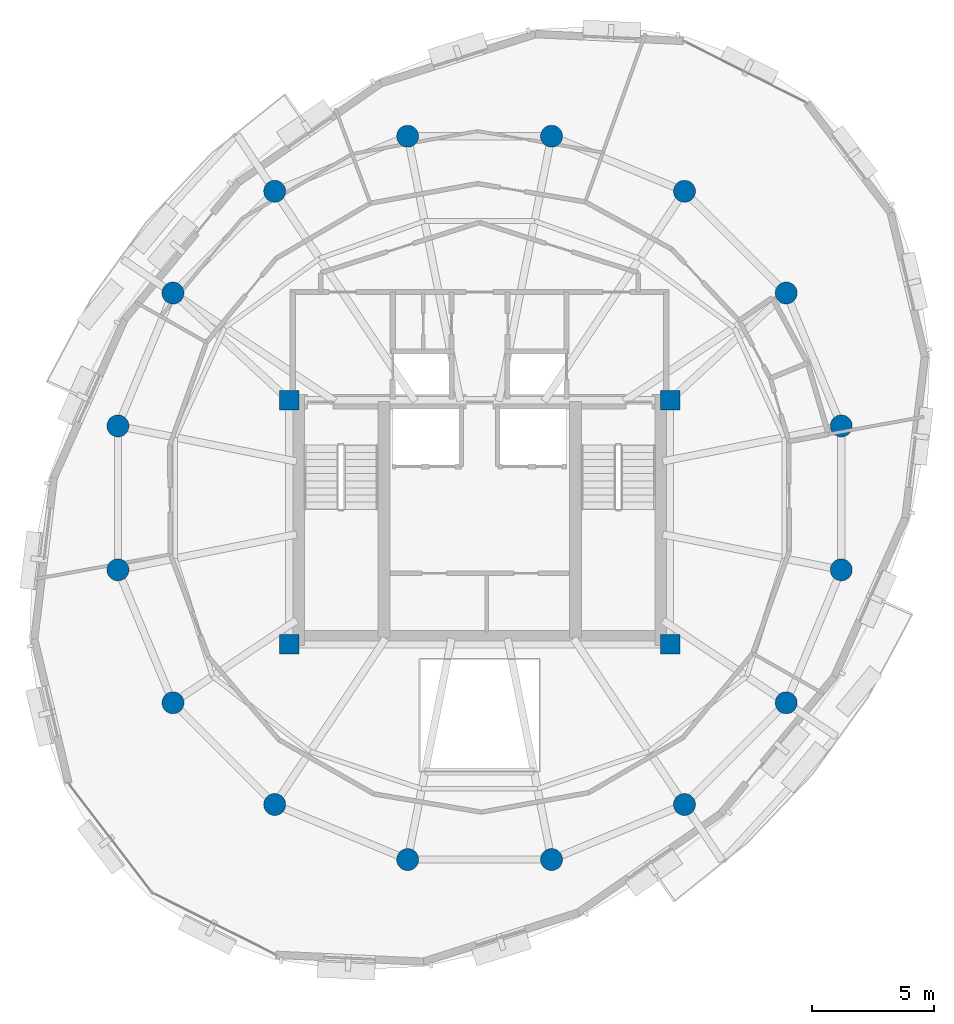
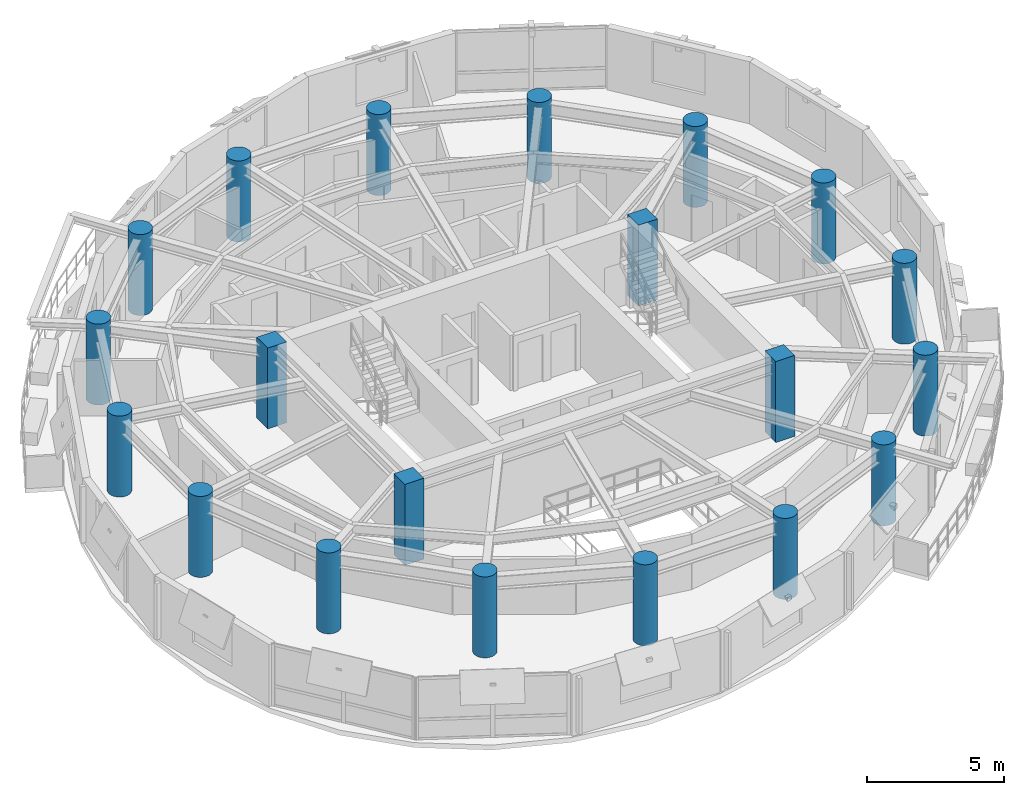
# One storey, part 1 of 11: 20 columns.
"""IFC4 building model written with IfcOpenShell, lengths in metres."""

import ifcopenshell
import ifcopenshell.guid

model = None  # the IFC model being written
_history = None  # IfcOwnerHistory: only IFC2X3 demands one
_inside = {}  # id of a spatial element -> (the spatial element, [elements in it])
_under = {}  # id of a project, library or spatial element -> (it, [spatial elements below it])
_declared = {}  # id of a project -> (the project, [libraries it declares])
_typed = {}  # id of a type object -> (the type object, [elements of that type])
_made_of = {}  # id of a material, layer set ... -> (it, [elements and type objects made of it])


def new_model(schema):
    """Start an empty IFC model of exactly this schema.

    Asked for "IFC4X3", IfcOpenShell would pick the latest addendum, in which some entities
    have other attributes; the version numbers below select the first issue.
    IFC2X3 requires an IfcOwnerHistory on every rooted entity: one is made here for all.
    """
    global model, _history
    if schema == "IFC4X3":
        model = ifcopenshell.file(schema_version=(4, 3, 0, 0))
    else:
        model = ifcopenshell.file(schema=schema)
    _inside.clear()
    _under.clear()
    _declared.clear()
    _typed.clear()
    _made_of.clear()
    _history = None
    if model.schema == "IFC2X3":
        org = make("IfcOrganization", Name="unknown")
        user = make(
            "IfcPersonAndOrganization",
            ThePerson=make("IfcPerson", FamilyName="unknown"),
            TheOrganization=org,
        )
        app = make(
            "IfcApplication",
            ApplicationDeveloper=org,
            Version="unknown",
            ApplicationFullName="unknown",
            ApplicationIdentifier="unknown",
        )
        _history = make(
            "IfcOwnerHistory",
            OwningUser=user,
            OwningApplication=app,
            ChangeAction="ADDED",
            CreationDate=0,
        )
    return model


def make(cls, **values):
    """One entity of the class cls with the attributes given. An attribute that is None is left unset."""
    return model.create_entity(
        cls, **{name: value for name, value in values.items() if value is not None}
    )


def rooted(cls, **values):
    """An entity with a GlobalId (a new one), such as an element, a storey or a relation."""
    return make(cls, GlobalId=ifcopenshell.guid.new(), OwnerHistory=_history, **values)


def si_unit(unit_type, name, prefix=None):
    """IfcSIUnit, for example si_unit("LENGTHUNIT", "METRE", prefix="MILLI")."""
    return make("IfcSIUnit", UnitType=unit_type, Prefix=prefix, Name=name)


def assignment(units):
    """IfcUnitAssignment: the units of a project."""
    return None if units is None else make("IfcUnitAssignment", Units=units)


def point(xyz):
    """IfcCartesianPoint."""
    return None if xyz is None else make("IfcCartesianPoint", Coordinates=xyz)


def direction(xyz):
    """IfcDirection."""
    return None if xyz is None else make("IfcDirection", DirectionRatios=xyz)


def frame(location, z_axis=None, x_axis=None):
    """IfcAxis2Placement3D, a coordinate frame: its origin and axes. An axis left out is left unset."""
    return make(
        "IfcAxis2Placement3D",
        Location=point(location),
        Axis=direction(z_axis),
        RefDirection=direction(x_axis),
    )


def frame_2d(location, x_axis=None):
    """IfcAxis2Placement2D, a coordinate frame in the plane: its origin and x axis."""
    return make(
        "IfcAxis2Placement2D", Location=point(location), RefDirection=direction(x_axis)
    )


def origin():
    """The frame at (0, 0, 0) with its axes left unset."""
    return frame((0.0, 0.0, 0.0))


def origin_2d():
    """The frame at (0, 0) in the plane with its x axis left unset."""
    return frame_2d((0.0, 0.0))


def place(relative_to, where):
    """IfcLocalPlacement: puts the frame where relative to a parent placement (None: the world)."""
    return make(
        "IfcLocalPlacement", PlacementRelTo=relative_to, RelativePlacement=where
    )


def context(
    kind, dimensions, precision=None, world=None, true_north=None, identifier=None
):
    """IfcGeometricRepresentationContext, for example the 3D "Model" context."""
    return make(
        "IfcGeometricRepresentationContext",
        ContextIdentifier=identifier,
        ContextType=kind,
        CoordinateSpaceDimension=dimensions,
        Precision=precision,
        WorldCoordinateSystem=world,
        TrueNorth=true_north,
    )


def subcontext(parent, identifier, kind, view, scale=None):
    """IfcGeometricRepresentationSubContext, for example "Body" below "Model"."""
    return make(
        "IfcGeometricRepresentationSubContext",
        ContextIdentifier=identifier,
        ContextType=kind,
        ParentContext=parent,
        TargetScale=scale,
        TargetView=view,
    )


def project(units=None, contexts=None):
    """IfcProject with its units and contexts."""
    return rooted(
        "IfcProject",
        Name="project",
        RepresentationContexts=contexts,
        UnitsInContext=assignment(units),
    )


def spatial(cls, under=None, at=None, **own):
    """A site, building, storey or space (cls), placed at a placement, below another one or the project."""
    s = rooted(cls, ObjectPlacement=at, **own)
    if under is not None:
        _under.setdefault(under.id(), (under, []))[1].append(s)
    return s


def profile(cls, at=None, kind="AREA", **sizes):
    """A parametric profile (cls). Its sizes go by their IFC names, for example OverallWidth=200.0."""
    return make(cls, ProfileType=kind, Position=at, **sizes)


def rectangle(**sizes):
    """IfcRectangleProfileDef."""
    return profile("IfcRectangleProfileDef", **sizes)


def circle(**sizes):
    """IfcCircleProfileDef."""
    return profile("IfcCircleProfileDef", **sizes)


def extrude(swept, where, along, depth):
    """IfcExtrudedAreaSolid: the profile swept, set in the frame where, extruded along a direction by depth."""
    return make(
        "IfcExtrudedAreaSolid",
        SweptArea=swept,
        Position=where,
        ExtrudedDirection=direction(along),
        Depth=depth,
    )


def shape(context_of_items, identifier, shape_type, items):
    """IfcShapeRepresentation: the items that make up one representation, for example the "Body"."""
    return make(
        "IfcShapeRepresentation",
        ContextOfItems=context_of_items,
        RepresentationIdentifier=identifier,
        RepresentationType=shape_type,
        Items=items,
    )


def material(Name=None, Category=None):
    """IfcMaterial."""
    return make("IfcMaterial", Name=Name, Category=Category)


def material_profile(
    of_material, cross_section, Name=None, Category=None, Priority=None
):
    """IfcMaterialProfile: a cross section and its material."""
    return make(
        "IfcMaterialProfile",
        Name=Name,
        Material=of_material,
        Profile=cross_section,
        Priority=Priority,
        Category=Category,
    )


def profile_set(profiles, Name=None, composite=None):
    """IfcMaterialProfileSet."""
    return make(
        "IfcMaterialProfileSet",
        Name=Name,
        MaterialProfiles=profiles,
        CompositeProfile=composite,
    )


def made_of(thing, what):
    """Note that an element or type object is made of a material, layer set ...; save() writes the relation."""
    if what is not None:
        _made_of.setdefault(what.id(), (what, []))[1].append(thing)
    return thing


def type_object(cls, material=None, **own):
    """A type object (cls), such as IfcWallType, which elements share."""
    return made_of(rooted(cls, **own), material)


def element(
    cls,
    number,
    at=None,
    inside=None,
    cuts=None,
    type_object=None,
    material=None,
    context=None,
    identifier="Body",
    shape_type=None,
    held_by="IfcProductDefinitionShape",
    body=None,
    shapes=None,
    **own,
):
    """One element of the class cls, such as IfcWall. Its Tag is "e" and its number.

    at: its placement. inside: the storey or other place that contains it. cuts: it is an
    opening in that element (IfcRelVoidsElement). A single representation is given by context,
    identifier, shape_type and body (its items); several are given by shapes. held_by: the class
    of the entity that holds the representations. save() writes the other relations.
    """
    e = rooted(cls, Tag="e%d" % number, ObjectPlacement=at, **own)
    if body is not None:
        shapes = [shape(context, identifier, shape_type, body)]
    if shapes is not None:
        e.Representation = make(held_by, Representations=shapes)
    if inside is not None:
        _inside.setdefault(inside.id(), (inside, []))[1].append(e)
    if cuts is not None:
        rooted(
            "IfcRelVoidsElement", RelatingBuildingElement=cuts, RelatedOpeningElement=e
        )
    if type_object is not None:
        _typed.setdefault(type_object.id(), (type_object, []))[1].append(e)
    return made_of(e, material)


def aggregate(whole, parts):
    """IfcRelAggregates: a whole, such as a stair, and the parts it consists of."""
    return rooted("IfcRelAggregates", RelatingObject=whole, RelatedObjects=parts)


def save(model, path):
    """Write the relations noted so far, then the file.

    IfcRelAggregates (storeys below a building ...), IfcRelContainedInSpatialStructure (elements
    in a storey), IfcRelDefinesByType, IfcRelAssociatesMaterial and IfcRelDeclares: one each for
    every whole, place, type object, material and project.
    """
    for whole, parts in _under.values():
        aggregate(whole, parts)
    for where, things in _inside.values():
        rooted(
            "IfcRelContainedInSpatialStructure",
            RelatedElements=things,
            RelatingStructure=where,
        )
    for kind, things in _typed.values():
        rooted("IfcRelDefinesByType", RelatedObjects=things, RelatingType=kind)
    for what, things in _made_of.values():
        rooted("IfcRelAssociatesMaterial", RelatedObjects=things, RelatingMaterial=what)
    for by, libraries in _declared.values():
        rooted("IfcRelDeclares", RelatingContext=by, RelatedDefinitions=libraries)
    model.write(path)


model = new_model("IFC4")

# Units and contexts
model_context = context("Model", 3, precision=1e-05, world=origin(), true_north=direction((0.0, 1.0)))
body_context = subcontext(model_context, "Body", "Model", "MODEL_VIEW")
ifc_project = project(units=[si_unit("LENGTHUNIT", "METRE"), si_unit("AREAUNIT", "SQUARE_METRE"), si_unit("VOLUMEUNIT", "CUBIC_METRE"), si_unit("PLANEANGLEUNIT", "RADIAN"), si_unit("MASSUNIT", "GRAM", prefix="KILO"), si_unit("THERMODYNAMICTEMPERATUREUNIT", "KELVIN"), si_unit("POWERUNIT", "WATT")], contexts=[model_context])

# Site, building, storey
site_placement = place(None, origin())
site = spatial("IfcSite", under=ifc_project, at=site_placement, CompositionType="ELEMENT")
building_placement = place(site_placement, origin())
building = spatial("IfcBuilding", under=site, at=building_placement, Name="Ocrelia Relay Tower", CompositionType="ELEMENT")
storey_placement = place(building_placement, frame((0.0, 0.0, 241.199951171875)))
storey = spatial("IfcBuildingStorey", under=building, at=storey_placement, Name="L59", CompositionType="ELEMENT", Elevation=241.199951171875)

# Columns
ifc_material_1 = material(Name="Concrete C50/60", Category="concrete")
ifc_material_profile_1 = material_profile(ifc_material_1, circle(Radius=0.449951171875, at=origin_2d()), Name="RC-CIR-900")
ifc_profile_set_1 = profile_set([ifc_material_profile_1], Name="Concrete C50/60")
column_type_1 = type_object("IfcColumnType", Name="COL-CT-900", PredefinedType="COLUMN", material=ifc_profile_set_1)
for number, where, z_axis, x_axis, name in (
    (1, (48.809814453125, 28.94580078125, 0.0), (0.0, 0.0, 1.0), (1.0, 0.0, 0.0), "L59 Perimeter Ring Column C01"),
    (2, (46.55517578125, 34.38916015625, 0.0), (0.0, 0.0, 1.0), (1.0, 0.0, 0.0), "L59 Perimeter Ring Column C02"),
    (3, (42.38916015625, 38.55517578125, 0.0), (0.0, 0.0, 1.0), (1.0, 0.0, 0.0), "L59 Perimeter Ring Column C03"),
    (4, (36.94580078125, 40.809814453125, 0.0), (0.0, 0.0, 1.0), (1.0, 0.0, 0.0), "L59 Perimeter Ring Column C04"),
    (5, (31.05419921875, 40.809814453125, 0.0), (0.0, 0.0, 1.0), (1.0, 0.0, 0.0), "L59 Perimeter Ring Column C05"),
    (6, (25.61083984375, 38.55517578125, 0.0), (0.0, 0.0, 1.0), (1.0, 0.0, 0.0), "L59 Perimeter Ring Column C06"),
    (7, (21.44482421875, 34.38916015625, 0.0), (0.0, 0.0, 1.0), (1.0, 0.0, 0.0), "L59 Perimeter Ring Column C07"),
    (8, (19.190185546875, 28.94580078125, 0.0), (0.0, 0.0, 1.0), (1.0, 0.0, 0.0), "L59 Perimeter Ring Column C08"),
    (9, (19.190185546875, 23.05419921875, 0.0), (0.0, 0.0, 1.0), (1.0, 0.0, 0.0), "L59 Perimeter Ring Column C09"),
    (10, (21.44482421875, 17.61083984375, 0.0), (0.0, 0.0, 1.0), (1.0, 0.0, 0.0), "L59 Perimeter Ring Column C10"),
    (11, (25.61083984375, 13.44482421875, 0.0), (0.0, 0.0, 1.0), (1.0, 0.0, 0.0), "L59 Perimeter Ring Column C11"),
    (12, (31.05419921875, 11.190185546875, 0.0), (0.0, 0.0, 1.0), (1.0, 0.0, 0.0), "L59 Perimeter Ring Column C12"),
    (13, (36.94580078125, 11.190185546875, 0.0), (0.0, 0.0, 1.0), (1.0, 0.0, 0.0), "L59 Perimeter Ring Column C13"),
    (14, (42.38916015625, 13.44482421875, 0.0), (0.0, 0.0, 1.0), (1.0, 0.0, 0.0), "L59 Perimeter Ring Column C14"),
    (15, (46.55517578125, 17.61083984375, 0.0), (0.0, 0.0, 1.0), (1.0, 0.0, 0.0), "L59 Perimeter Ring Column C15"),
    (16, (48.809814453125, 23.05419921875, 0.0), (0.0, 0.0, 1.0), (1.0, 0.0, 0.0), "L59 Perimeter Ring Column C16"),
):
    element("IfcColumn", number, at=place(storey_placement, frame(where, z_axis=z_axis, x_axis=x_axis)), inside=storey, type_object=column_type_1, Name=name, PredefinedType="COLUMN", context=body_context, shape_type="SweptSolid", body=[
        extrude(circle(Radius=0.449951171875, at=origin_2d()), origin(), (0.0, 0.0, 1.0), 3.60009765625),
    ])
ifc_material_2 = material(Name="Concrete C60/75", Category="concrete")
ifc_material_profile_2 = material_profile(ifc_material_2, rectangle(XDim=0.800048828125, YDim=0.800048828125, at=origin_2d()), Name="RC-COL-800x800")
ifc_profile_set_2 = profile_set([ifc_material_profile_2], Name="Concrete C60/75")
column_type_2 = type_object("IfcColumnType", Name="COL-PILASTER-800", PredefinedType="PILASTER", material=ifc_profile_set_2)
for number, where, z_axis, x_axis, name in (
    (17, (26.199951171875, 20.0, 0.0), (0.0, 0.0, 1.0), (1.0, 0.0, 0.0), "L59 Core Corner Pilaster SW"),
    (18, (41.800048828125, 20.0, 0.0), (0.0, 0.0, 1.0), (1.0, 0.0, 0.0), "L59 Core Corner Pilaster SE"),
    (19, (26.199951171875, 30.0, 0.0), (0.0, 0.0, 1.0), (1.0, 0.0, 0.0), "L59 Core Corner Pilaster NW"),
    (20, (41.800048828125, 30.0, 0.0), (0.0, 0.0, 1.0), (1.0, 0.0, 0.0), "L59 Core Corner Pilaster NE"),
):
    element("IfcColumn", number, at=place(storey_placement, frame(where, z_axis=z_axis, x_axis=x_axis)), inside=storey, type_object=column_type_2, Name=name, PredefinedType="PILASTER", context=body_context, shape_type="SweptSolid", body=[
        extrude(rectangle(XDim=0.800048828125, YDim=0.800048828125, at=origin_2d()), origin(), (0.0, 0.0, 1.0), 3.60009765625),
    ])

save(model, "model.ifc")
